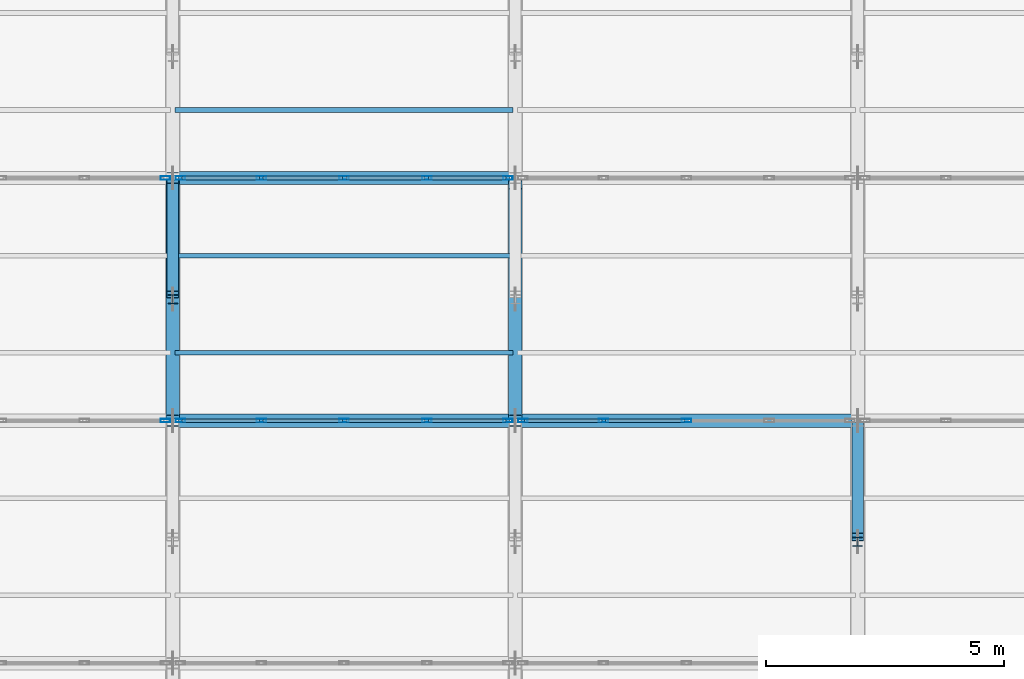
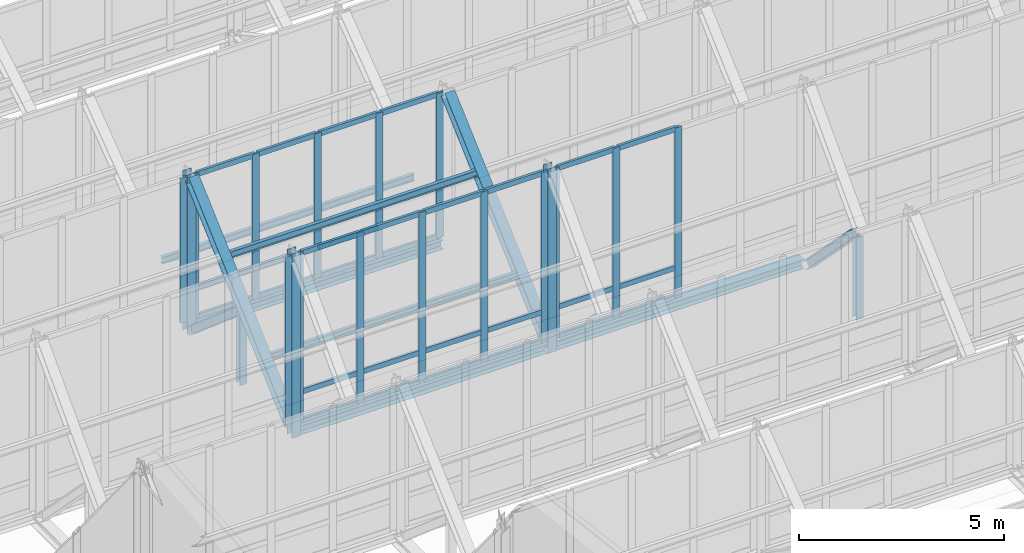
# One storey, part 52 of 157: 57 members, 3 beams, 5 elements without a shape of their own.
"""IFC4 building model written with IfcOpenShell, lengths in metres."""

from ifc_helpers import new_model, si_unit, direction, frame, origin, origin_2d, place, context, subcontext, project, spatial, hollow_rectangle, i_section, extrude, material, material_profile, profile_set, type_object, element, aggregate, save


model = new_model("IFC4")

# Units and contexts
model_context = context("Model", 3, precision=1e-05, world=origin(), true_north=direction((0.0, 1.0)))
body_context = subcontext(model_context, "Body", "Model", "MODEL_VIEW")
ifc_project = project(units=[si_unit("LENGTHUNIT", "METRE"), si_unit("AREAUNIT", "SQUARE_METRE"), si_unit("VOLUMEUNIT", "CUBIC_METRE"), si_unit("PLANEANGLEUNIT", "RADIAN"), si_unit("MASSUNIT", "GRAM", prefix="KILO")], contexts=[model_context])

# Site, building, storey
site_placement = place(None, origin())
site = spatial("IfcSite", under=ifc_project, at=site_placement, CompositionType="ELEMENT")
building_placement = place(site_placement, origin())
building = spatial("IfcBuilding", under=site, at=building_placement, Name="Suanplinth Sawtooth Commons", CompositionType="ELEMENT")
storey_placement = place(building_placement, frame((0.0, 0.0, 9.0)))
storey = spatial("IfcBuildingStorey", under=building, at=storey_placement, Name="L02", CompositionType="ELEMENT", Elevation=9.0)

# Beams
ifc_material_1 = material(Name="Steel S355JR", Category="steel")
ifc_material_profile_1 = material_profile(ifc_material_1, i_section(OverallWidth=0.280029296875, OverallDepth=0.27001953125, WebThickness=0.008056640625, FlangeThickness=0.012939453125, at=origin_2d()), Name="HEA 280")
ifc_profile_set_1 = profile_set([ifc_material_profile_1], Name="Steel S355JR")
beam_type = type_object("IfcBeamType", Name="B-16", PredefinedType="USERDEFINED", material=ifc_profile_set_1)
for number, where, z_axis, x_axis, name in (
    (1, (79.320068359375, 70.800048828125, 2.820068359375), (1.0, 0.0, 0.0), (0.0, 1.0, 0.0), "Sawtooth Valley Girder T5-B3"),
    (2, (86.52001953125, 70.800048828125, 2.820068359375), (1.0, 0.0, 0.0), (0.0, 1.0, 0.0), "Sawtooth Valley Girder T5-B4"),
    (3, (79.320068359375, 75.89990234375, 2.820068359375), (1.0, 0.0, 0.0), (0.0, 1.0, 0.0), "Sawtooth Valley Girder T6-B3"),
):
    element("IfcBeam", number, at=place(storey_placement, frame(where, z_axis=z_axis, x_axis=x_axis)), inside=storey, type_object=beam_type, Name=name, ObjectType="GIRDER", PredefinedType="USERDEFINED", context=body_context, shape_type="SweptSolid", body=[
        extrude(i_section(OverallWidth=0.280029296875, OverallDepth=0.27001953125, WebThickness=0.008056640625, FlangeThickness=0.012939453125, at=origin_2d()), origin(), (0.0, 0.0, 1.0), 6.9599609375),
    ])

# Members
ifc_material_profile_2 = material_profile(ifc_material_1, i_section(OverallWidth=0.280029296875, OverallDepth=0.280029296875, WebThickness=0.010498046875, FlangeThickness=0.01806640625, at=origin_2d()), Name="HEB 280")
ifc_profile_set_2 = profile_set([ifc_material_profile_2], Name="Steel S355JR")
member_type_1 = type_object("IfcMemberType", Name="M-02", PredefinedType="CHORD", material=ifc_profile_set_2)
for number, where, z_axis, x_axis, name in (
    (4, (79.199951171875, 70.93994140625, 2.919921875), (0.0, 0.740839311711, 0.671682301556), (-1.0, 0.0, 0.0), "Sawtooth Truss T3 Top Chord 5"),
    (5, (86.39990234375, 70.93994140625, 2.919921875), (0.0, 0.740839311711, 0.671682301556), (-1.0, 0.0, 0.0), "Sawtooth Truss T4 Top Chord 5"),
):
    element("IfcMember", number, at=place(storey_placement, frame(where, z_axis=z_axis, x_axis=x_axis)), inside=storey, type_object=member_type_1, Name=name, PredefinedType="CHORD", context=body_context, shape_type="SweptSolid", body=[
        extrude(i_section(OverallWidth=0.280029296875, OverallDepth=0.280029296875, WebThickness=0.010498046875, FlangeThickness=0.01806640625, at=origin_2d()), origin(), (0.0, 0.0, 1.0), 6.50634765625),
    ])
ifc_material_profile_3 = material_profile(ifc_material_1, i_section(OverallWidth=0.239990234375, OverallDepth=0.22998046875, WebThickness=0.007568359375, FlangeThickness=0.011962890625, at=origin_2d()), Name="HEA 240")
ifc_profile_set_3 = profile_set([ifc_material_profile_3], Name="Steel S355JR")
member_type_2 = type_object("IfcMemberType", Name="M-03", PredefinedType="BRACE", material=ifc_profile_set_3)
member_1_placement = place(storey_placement, frame((79.199951171875, 73.449951171875, 4.7451171875), z_axis=(0.0, 0.759593581641, -0.65039802485), x_axis=(-1.0, 0.0, 0.0)))
element("IfcMember", 6, at=member_1_placement, inside=storey, type_object=member_type_2, Name="Sawtooth Truss T3 Web Diagonal 5", PredefinedType="BRACE", context=body_context, shape_type="SweptSolid", body=[
    extrude(i_section(OverallWidth=0.239990234375, OverallDepth=0.22998046875, WebThickness=0.007568359375, FlangeThickness=0.011962890625, at=origin_2d()), origin(), (0.0, 0.0, 1.0), 3.067626953125),
])
member_2_placement = place(storey_placement, frame((93.60009765625, 68.35009765625, 5.1201171875), z_axis=(0.0, 0.701020432133, -0.713141187797), x_axis=(-1.0, 0.0, 0.0)))
element("IfcMember", 7, at=member_2_placement, inside=storey, type_object=member_type_2, Name="Sawtooth Truss T5 Web Diagonal 4", PredefinedType="BRACE", context=body_context, shape_type="SweptSolid", body=[
    extrude(i_section(OverallWidth=0.239990234375, OverallDepth=0.22998046875, WebThickness=0.007568359375, FlangeThickness=0.011962890625, at=origin_2d()), origin(), (0.0, 0.0, 1.0), 3.323486328125),
])
ifc_material_profile_4 = material_profile(ifc_material_1, i_section(OverallWidth=0.199951171875, OverallDepth=0.18994140625, WebThickness=0.006591796875, FlangeThickness=0.010009765625, at=origin_2d()), Name="HEA 200")
ifc_profile_set_4 = profile_set([ifc_material_profile_4], Name="Steel S355JR")
member_type_3 = type_object("IfcMemberType", Name="M-04", PredefinedType="BRACE", material=ifc_profile_set_4)
member_3_placement = place(storey_placement, frame((79.199951171875, 73.35009765625, 2.64990234375), z_axis=(0.0, 0.0, 1.0), x_axis=(1.0, 0.0, 0.0)))
element("IfcMember", 8, at=member_3_placement, inside=storey, type_object=member_type_3, Name="Sawtooth Truss T3 Mid Web Post 5", PredefinedType="BRACE", context=body_context, shape_type="SweptSolid", body=[
    extrude(i_section(OverallWidth=0.199951171875, OverallDepth=0.18994140625, WebThickness=0.006591796875, FlangeThickness=0.010009765625, at=origin_2d()), origin(), (0.0, 0.0, 1.0), 2.0751953125),
])
member_4_placement = place(storey_placement, frame((93.60009765625, 68.25, 2.64990234375), z_axis=(0.0, 0.0, 1.0), x_axis=(1.0, 0.0, 0.0)))
element("IfcMember", 9, at=member_4_placement, inside=storey, type_object=member_type_3, Name="Sawtooth Truss T5 Mid Web Post 4", PredefinedType="BRACE", context=body_context, shape_type="SweptSolid", body=[
    extrude(i_section(OverallWidth=0.199951171875, OverallDepth=0.18994140625, WebThickness=0.006591796875, FlangeThickness=0.010009765625, at=origin_2d()), origin(), (0.0, 0.0, 1.0), 2.4501953125),
])
ifc_material_profile_5 = material_profile(ifc_material_1, i_section(OverallWidth=0.239990234375, OverallDepth=0.239990234375, WebThickness=0.010009765625, FlangeThickness=0.01708984375, at=origin_2d()), Name="HEB 240")
ifc_profile_set_5 = profile_set([ifc_material_profile_5], Name="Steel S355JR")
member_type_4 = type_object("IfcMemberType", Name="M-05", PredefinedType="POST", material=ifc_profile_set_5)
member_5_placement = place(storey_placement, frame((79.199951171875, 70.800048828125, 2.64990234375), z_axis=(0.0, 0.0, 1.0), x_axis=(1.0, 0.0, 0.0)))
element("IfcMember", 10, at=member_5_placement, inside=storey, type_object=member_type_4, Name="Sawtooth Truss T3 Clerestory Post 4", PredefinedType="POST", context=body_context, shape_type="SweptSolid", body=[
    extrude(i_section(OverallWidth=0.239990234375, OverallDepth=0.239990234375, WebThickness=0.010009765625, FlangeThickness=0.01708984375, at=origin_2d()), origin(), (0.0, 0.0, 1.0), 5.489990234375),
])
member_6_placement = place(storey_placement, frame((79.199951171875, 75.89990234375, 2.64990234375), z_axis=(0.0, 0.0, 1.0), x_axis=(1.0, 0.0, 0.0)))
element("IfcMember", 11, at=member_6_placement, inside=storey, type_object=member_type_4, Name="Sawtooth Truss T3 Clerestory Post 5", PredefinedType="POST", context=body_context, shape_type="SweptSolid", body=[
    extrude(i_section(OverallWidth=0.239990234375, OverallDepth=0.239990234375, WebThickness=0.010009765625, FlangeThickness=0.01708984375, at=origin_2d()), origin(), (0.0, 0.0, 1.0), 4.739990234375),
])
member_7_placement = place(storey_placement, frame((86.39990234375, 70.800048828125, 2.64990234375), z_axis=(0.0, 0.0, 1.0), x_axis=(1.0, 0.0, 0.0)))
element("IfcMember", 12, at=member_7_placement, inside=storey, type_object=member_type_4, Name="Sawtooth Truss T4 Clerestory Post 4", PredefinedType="POST", context=body_context, shape_type="SweptSolid", body=[
    extrude(i_section(OverallWidth=0.239990234375, OverallDepth=0.239990234375, WebThickness=0.010009765625, FlangeThickness=0.01708984375, at=origin_2d()), origin(), (0.0, 0.0, 1.0), 5.489990234375),
])
ifc_material_2 = material(Name="Steel SS400", Category="steel")
ifc_material_profile_6 = material_profile(ifc_material_2, i_section(OverallWidth=0.10009765625, OverallDepth=0.199951171875, WebThickness=0.005615234375, FlangeThickness=0.008544921875, at=origin_2d()), Name="IPE 200")
ifc_profile_set_6 = profile_set([ifc_material_profile_6], Name="Steel SS400")
member_type_5 = type_object("IfcMemberType", Name="M-06", PredefinedType="PURLIN", material=ifc_profile_set_6)
for number, where, z_axis, x_axis, name in (
    (13, (79.25, 72.22802734375, 4.067138671875), (1.0, 0.0, 0.0), (0.0, 1.0, 0.0), "Sawtooth Roof Purlin T5-B3-P1"),
    (14, (79.25, 74.26806640625, 5.84716796875), (1.0, 0.0, 0.0), (0.0, 1.0, 0.0), "Sawtooth Roof Purlin T5-B3-P2"),
    (15, (79.25, 77.327880859375, 3.87353515625), (1.0, 0.0, 0.0), (0.0, 1.0, 0.0), "Sawtooth Roof Purlin T6-B3-P1"),
):
    element("IfcMember", number, at=place(storey_placement, frame(where, z_axis=z_axis, x_axis=x_axis)), inside=storey, type_object=member_type_5, Name=name, PredefinedType="PURLIN", context=body_context, shape_type="SweptSolid", body=[
        extrude(i_section(OverallWidth=0.10009765625, OverallDepth=0.199951171875, WebThickness=0.005615234375, FlangeThickness=0.008544921875, at=origin_2d()), origin(), (0.0, 0.0, 1.0), 7.10009765625),
    ])

# Curtain wall, member
ifc_material_3 = material(Name="Anodized aluminium and low-E glazing", Category="aluminium")
curtain_wall_type = type_object("IfcCurtainWallType", Name="CW-03", PredefinedType="USERDEFINED", material=ifc_material_3)
curtain_wall_1_placement = place(storey_placement, origin())
curtain_wall_1 = element("IfcCurtainWall", 16, at=curtain_wall_1_placement, inside=storey, type_object=curtain_wall_type, Name="Curtain Wall CW-SAW-T4-B2", ObjectType="CURTAIN WALL", PredefinedType="USERDEFINED")
ifc_material_4 = material(Name="Anodized aluminium 6063-T6", Category="aluminium")
ifc_material_profile_7 = material_profile(ifc_material_4, hollow_rectangle(XDim=0.074951171875, YDim=0.199951171875, WallThickness=0.0048828125, at=origin_2d()), Name="ALU-MUL 75x200")
ifc_profile_set_7 = profile_set([ifc_material_profile_7], Name="Anodized aluminium 6063-T6")
member_type_6 = type_object("IfcMemberType", Name="M-14", PredefinedType="MULLION", material=ifc_profile_set_7)
member_8_placement = place(storey_placement, frame((79.04248046875, 70.800048828125, 2.97998046875), z_axis=(0.0, 0.0, 1.0), x_axis=(0.0, 1.0, 0.0)))
member_8 = element("IfcMember", 17, at=member_8_placement, type_object=member_type_6, Name="CW-03 mullion 5", PredefinedType="MULLION", context=body_context, shape_type="SweptSolid", body=[
    extrude(hollow_rectangle(XDim=0.074951171875, YDim=0.199951171875, WallThickness=0.0048828125, at=origin_2d()), origin(), (0.0, 0.0, 1.0), 5.06005859375),
])
aggregate(curtain_wall_1, [member_8])

# Curtain wall, members
curtain_wall_2_placement = place(storey_placement, origin())
curtain_wall_2 = element("IfcCurtainWall", 18, at=curtain_wall_2_placement, inside=storey, type_object=curtain_wall_type, Name="Curtain Wall CW-SAW-T4-B3", ObjectType="CURTAIN WALL", PredefinedType="USERDEFINED")
member_9_placement = place(storey_placement, frame((79.357421875, 70.800048828125, 2.97998046875), z_axis=(0.0, 0.0, 1.0), x_axis=(0.0, 1.0, 0.0)))
member_9 = element("IfcMember", 19, at=member_9_placement, type_object=member_type_6, Name="CW-03 mullion 1", PredefinedType="MULLION", context=body_context, shape_type="SweptSolid", body=[
    extrude(hollow_rectangle(XDim=0.074951171875, YDim=0.199951171875, WallThickness=0.0048828125, at=origin_2d()), origin(), (0.0, 0.0, 1.0), 5.06005859375),
])
member_10_placement = place(storey_placement, frame((81.06005859375, 70.800048828125, 2.97998046875), z_axis=(0.0, 0.0, 1.0), x_axis=(0.0, 1.0, 0.0)))
member_10 = element("IfcMember", 20, at=member_10_placement, type_object=member_type_6, Name="CW-03 mullion 2", PredefinedType="MULLION", context=body_context, shape_type="SweptSolid", body=[
    extrude(hollow_rectangle(XDim=0.074951171875, YDim=0.199951171875, WallThickness=0.0048828125, at=origin_2d()), origin(), (0.0, 0.0, 1.0), 5.06005859375),
])
member_11_placement = place(storey_placement, frame((82.800048828125, 70.800048828125, 2.97998046875), z_axis=(0.0, 0.0, 1.0), x_axis=(0.0, 1.0, 0.0)))
member_11 = element("IfcMember", 21, at=member_11_placement, type_object=member_type_6, Name="CW-03 mullion 3", PredefinedType="MULLION", context=body_context, shape_type="SweptSolid", body=[
    extrude(hollow_rectangle(XDim=0.074951171875, YDim=0.199951171875, WallThickness=0.0048828125, at=origin_2d()), origin(), (0.0, 0.0, 1.0), 5.06005859375),
])
member_12_placement = place(storey_placement, frame((84.5400390625, 70.800048828125, 2.97998046875), z_axis=(0.0, 0.0, 1.0), x_axis=(0.0, 1.0, 0.0)))
member_12 = element("IfcMember", 22, at=member_12_placement, type_object=member_type_6, Name="CW-03 mullion 4", PredefinedType="MULLION", context=body_context, shape_type="SweptSolid", body=[
    extrude(hollow_rectangle(XDim=0.074951171875, YDim=0.199951171875, WallThickness=0.0048828125, at=origin_2d()), origin(), (0.0, 0.0, 1.0), 5.06005859375),
])
member_13_placement = place(storey_placement, frame((86.242431640625, 70.800048828125, 2.97998046875), z_axis=(0.0, 0.0, 1.0), x_axis=(0.0, 1.0, 0.0)))
member_13 = element("IfcMember", 23, at=member_13_placement, type_object=member_type_6, Name="CW-03 mullion 5", PredefinedType="MULLION", context=body_context, shape_type="SweptSolid", body=[
    extrude(hollow_rectangle(XDim=0.074951171875, YDim=0.199951171875, WallThickness=0.0048828125, at=origin_2d()), origin(), (0.0, 0.0, 1.0), 5.06005859375),
])

curtain_wall_3_placement = place(storey_placement, origin())
curtain_wall_3 = element("IfcCurtainWall", 24, at=curtain_wall_3_placement, inside=storey, type_object=curtain_wall_type, Name="Curtain Wall CW-SAW-T4-B4", ObjectType="CURTAIN WALL", PredefinedType="USERDEFINED")
member_14_placement = place(storey_placement, frame((86.5576171875, 70.800048828125, 2.97998046875), z_axis=(0.0, 0.0, 1.0), x_axis=(0.0, 1.0, 0.0)))
member_14 = element("IfcMember", 25, at=member_14_placement, type_object=member_type_6, Name="CW-03 mullion 1", PredefinedType="MULLION", context=body_context, shape_type="SweptSolid", body=[
    extrude(hollow_rectangle(XDim=0.074951171875, YDim=0.199951171875, WallThickness=0.0048828125, at=origin_2d()), origin(), (0.0, 0.0, 1.0), 5.06005859375),
])
member_15_placement = place(storey_placement, frame((88.260009765625, 70.800048828125, 2.97998046875), z_axis=(0.0, 0.0, 1.0), x_axis=(0.0, 1.0, 0.0)))
member_15 = element("IfcMember", 26, at=member_15_placement, type_object=member_type_6, Name="CW-03 mullion 2", PredefinedType="MULLION", context=body_context, shape_type="SweptSolid", body=[
    extrude(hollow_rectangle(XDim=0.074951171875, YDim=0.199951171875, WallThickness=0.0048828125, at=origin_2d()), origin(), (0.0, 0.0, 1.0), 5.06005859375),
])
member_16_placement = place(storey_placement, frame((90.0, 70.800048828125, 2.97998046875), z_axis=(0.0, 0.0, 1.0), x_axis=(0.0, 1.0, 0.0)))
member_16 = element("IfcMember", 27, at=member_16_placement, type_object=member_type_6, Name="CW-03 mullion 3", PredefinedType="MULLION", context=body_context, shape_type="SweptSolid", body=[
    extrude(hollow_rectangle(XDim=0.074951171875, YDim=0.199951171875, WallThickness=0.0048828125, at=origin_2d()), origin(), (0.0, 0.0, 1.0), 5.06005859375),
])

# Curtain wall, member
curtain_wall_4_placement = place(storey_placement, origin())
curtain_wall_4 = element("IfcCurtainWall", 28, at=curtain_wall_4_placement, inside=storey, type_object=curtain_wall_type, Name="Curtain Wall CW-SAW-T5-B2", ObjectType="CURTAIN WALL", PredefinedType="USERDEFINED")
member_17_placement = place(storey_placement, frame((79.04248046875, 75.89990234375, 2.97998046875), z_axis=(0.0, 0.0, 1.0), x_axis=(0.0, 1.0, 0.0)))
member_17 = element("IfcMember", 29, at=member_17_placement, type_object=member_type_6, Name="CW-03 mullion 5", PredefinedType="MULLION", context=body_context, shape_type="SweptSolid", body=[
    extrude(hollow_rectangle(XDim=0.074951171875, YDim=0.199951171875, WallThickness=0.0048828125, at=origin_2d()), origin(), (0.0, 0.0, 1.0), 4.31005859375),
])
aggregate(curtain_wall_4, [member_17])

# Curtain wall, members
curtain_wall_5_placement = place(storey_placement, origin())
curtain_wall_5 = element("IfcCurtainWall", 30, at=curtain_wall_5_placement, inside=storey, type_object=curtain_wall_type, Name="Curtain Wall CW-SAW-T5-B3", ObjectType="CURTAIN WALL", PredefinedType="USERDEFINED")
member_18_placement = place(storey_placement, frame((79.357421875, 75.89990234375, 2.97998046875), z_axis=(0.0, 0.0, 1.0), x_axis=(0.0, 1.0, 0.0)))
member_18 = element("IfcMember", 31, at=member_18_placement, type_object=member_type_6, Name="CW-03 mullion 1", PredefinedType="MULLION", context=body_context, shape_type="SweptSolid", body=[
    extrude(hollow_rectangle(XDim=0.074951171875, YDim=0.199951171875, WallThickness=0.0048828125, at=origin_2d()), origin(), (0.0, 0.0, 1.0), 4.31005859375),
])
member_19_placement = place(storey_placement, frame((81.06005859375, 75.89990234375, 2.97998046875), z_axis=(0.0, 0.0, 1.0), x_axis=(0.0, 1.0, 0.0)))
member_19 = element("IfcMember", 32, at=member_19_placement, type_object=member_type_6, Name="CW-03 mullion 2", PredefinedType="MULLION", context=body_context, shape_type="SweptSolid", body=[
    extrude(hollow_rectangle(XDim=0.074951171875, YDim=0.199951171875, WallThickness=0.0048828125, at=origin_2d()), origin(), (0.0, 0.0, 1.0), 4.31005859375),
])
member_20_placement = place(storey_placement, frame((82.800048828125, 75.89990234375, 2.97998046875), z_axis=(0.0, 0.0, 1.0), x_axis=(0.0, 1.0, 0.0)))
member_20 = element("IfcMember", 33, at=member_20_placement, type_object=member_type_6, Name="CW-03 mullion 3", PredefinedType="MULLION", context=body_context, shape_type="SweptSolid", body=[
    extrude(hollow_rectangle(XDim=0.074951171875, YDim=0.199951171875, WallThickness=0.0048828125, at=origin_2d()), origin(), (0.0, 0.0, 1.0), 4.31005859375),
])
member_21_placement = place(storey_placement, frame((84.5400390625, 75.89990234375, 2.97998046875), z_axis=(0.0, 0.0, 1.0), x_axis=(0.0, 1.0, 0.0)))
member_21 = element("IfcMember", 34, at=member_21_placement, type_object=member_type_6, Name="CW-03 mullion 4", PredefinedType="MULLION", context=body_context, shape_type="SweptSolid", body=[
    extrude(hollow_rectangle(XDim=0.074951171875, YDim=0.199951171875, WallThickness=0.0048828125, at=origin_2d()), origin(), (0.0, 0.0, 1.0), 4.31005859375),
])
member_22_placement = place(storey_placement, frame((86.242431640625, 75.89990234375, 2.97998046875), z_axis=(0.0, 0.0, 1.0), x_axis=(0.0, 1.0, 0.0)))
member_22 = element("IfcMember", 35, at=member_22_placement, type_object=member_type_6, Name="CW-03 mullion 5", PredefinedType="MULLION", context=body_context, shape_type="SweptSolid", body=[
    extrude(hollow_rectangle(XDim=0.074951171875, YDim=0.199951171875, WallThickness=0.0048828125, at=origin_2d()), origin(), (0.0, 0.0, 1.0), 4.31005859375),
])

# Member
ifc_material_profile_8 = material_profile(ifc_material_4, hollow_rectangle(XDim=0.074951171875, YDim=0.14990234375, WallThickness=0.00439453125, at=origin_2d()), Name="ALU-TRN 75x150")
ifc_profile_set_8 = profile_set([ifc_material_profile_8], Name="Anodized aluminium 6063-T6")
member_type_7 = type_object("IfcMemberType", Name="M-16", PredefinedType="USERDEFINED", material=ifc_profile_set_8)
member_23_placement = place(storey_placement, frame((79.39501953125, 70.800048828125, 3.017578125), z_axis=(1.0, 0.0, 0.0), x_axis=(0.0, 1.0, 0.0)))
member_23 = element("IfcMember", 36, at=member_23_placement, type_object=member_type_7, Name="CW-03 transom 1.1", ObjectType="TRANSOM", PredefinedType="USERDEFINED", context=body_context, shape_type="SweptSolid", body=[
    extrude(hollow_rectangle(XDim=0.074951171875, YDim=0.14990234375, WallThickness=0.00439453125, at=origin_2d()), origin(), (0.0, 0.0, 1.0), 1.62744140625),
])

member_24_placement = place(storey_placement, frame((79.39501953125, 70.800048828125, 3.8798828125), z_axis=(1.0, 0.0, 0.0), x_axis=(0.0, 1.0, 0.0)))
member_24 = element("IfcMember", 37, at=member_24_placement, type_object=member_type_7, Name="CW-03 transom 1.2", ObjectType="TRANSOM", PredefinedType="USERDEFINED", context=body_context, shape_type="SweptSolid", body=[
    extrude(hollow_rectangle(XDim=0.074951171875, YDim=0.14990234375, WallThickness=0.00439453125, at=origin_2d()), origin(), (0.0, 0.0, 1.0), 1.62744140625),
])

member_25_placement = place(storey_placement, frame((79.39501953125, 70.800048828125, 8.00244140625), z_axis=(1.0, 0.0, 0.0), x_axis=(0.0, 1.0, 0.0)))
member_25 = element("IfcMember", 38, at=member_25_placement, type_object=member_type_7, Name="CW-03 transom 1.3", ObjectType="TRANSOM", PredefinedType="USERDEFINED", context=body_context, shape_type="SweptSolid", body=[
    extrude(hollow_rectangle(XDim=0.074951171875, YDim=0.14990234375, WallThickness=0.00439453125, at=origin_2d()), origin(), (0.0, 0.0, 1.0), 1.62744140625),
])

member_26_placement = place(storey_placement, frame((81.097412109375, 70.800048828125, 3.017578125), z_axis=(1.0, 0.0, 0.0), x_axis=(0.0, 1.0, 0.0)))
member_26 = element("IfcMember", 39, at=member_26_placement, type_object=member_type_7, Name="CW-03 transom 2.1", ObjectType="TRANSOM", PredefinedType="USERDEFINED", context=body_context, shape_type="SweptSolid", body=[
    extrude(hollow_rectangle(XDim=0.074951171875, YDim=0.14990234375, WallThickness=0.00439453125, at=origin_2d()), origin(), (0.0, 0.0, 1.0), 1.6650390625),
])

member_27_placement = place(storey_placement, frame((81.097412109375, 70.800048828125, 3.8798828125), z_axis=(1.0, 0.0, 0.0), x_axis=(0.0, 1.0, 0.0)))
member_27 = element("IfcMember", 40, at=member_27_placement, type_object=member_type_7, Name="CW-03 transom 2.2", ObjectType="TRANSOM", PredefinedType="USERDEFINED", context=body_context, shape_type="SweptSolid", body=[
    extrude(hollow_rectangle(XDim=0.074951171875, YDim=0.14990234375, WallThickness=0.00439453125, at=origin_2d()), origin(), (0.0, 0.0, 1.0), 1.6650390625),
])

member_28_placement = place(storey_placement, frame((81.097412109375, 70.800048828125, 8.00244140625), z_axis=(1.0, 0.0, 0.0), x_axis=(0.0, 1.0, 0.0)))
member_28 = element("IfcMember", 41, at=member_28_placement, type_object=member_type_7, Name="CW-03 transom 2.3", ObjectType="TRANSOM", PredefinedType="USERDEFINED", context=body_context, shape_type="SweptSolid", body=[
    extrude(hollow_rectangle(XDim=0.074951171875, YDim=0.14990234375, WallThickness=0.00439453125, at=origin_2d()), origin(), (0.0, 0.0, 1.0), 1.6650390625),
])

member_29_placement = place(storey_placement, frame((82.83740234375, 70.800048828125, 3.017578125), z_axis=(1.0, 0.0, 0.0), x_axis=(0.0, 1.0, 0.0)))
member_29 = element("IfcMember", 42, at=member_29_placement, type_object=member_type_7, Name="CW-03 transom 3.1", ObjectType="TRANSOM", PredefinedType="USERDEFINED", context=body_context, shape_type="SweptSolid", body=[
    extrude(hollow_rectangle(XDim=0.074951171875, YDim=0.14990234375, WallThickness=0.00439453125, at=origin_2d()), origin(), (0.0, 0.0, 1.0), 1.6650390625),
])

member_30_placement = place(storey_placement, frame((82.83740234375, 70.800048828125, 3.8798828125), z_axis=(1.0, 0.0, 0.0), x_axis=(0.0, 1.0, 0.0)))
member_30 = element("IfcMember", 43, at=member_30_placement, type_object=member_type_7, Name="CW-03 transom 3.2", ObjectType="TRANSOM", PredefinedType="USERDEFINED", context=body_context, shape_type="SweptSolid", body=[
    extrude(hollow_rectangle(XDim=0.074951171875, YDim=0.14990234375, WallThickness=0.00439453125, at=origin_2d()), origin(), (0.0, 0.0, 1.0), 1.6650390625),
])

member_31_placement = place(storey_placement, frame((82.83740234375, 70.800048828125, 8.00244140625), z_axis=(1.0, 0.0, 0.0), x_axis=(0.0, 1.0, 0.0)))
member_31 = element("IfcMember", 44, at=member_31_placement, type_object=member_type_7, Name="CW-03 transom 3.3", ObjectType="TRANSOM", PredefinedType="USERDEFINED", context=body_context, shape_type="SweptSolid", body=[
    extrude(hollow_rectangle(XDim=0.074951171875, YDim=0.14990234375, WallThickness=0.00439453125, at=origin_2d()), origin(), (0.0, 0.0, 1.0), 1.6650390625),
])

member_32_placement = place(storey_placement, frame((84.577392578125, 70.800048828125, 3.017578125), z_axis=(1.0, 0.0, 0.0), x_axis=(0.0, 1.0, 0.0)))
member_32 = element("IfcMember", 45, at=member_32_placement, type_object=member_type_7, Name="CW-03 transom 4.1", ObjectType="TRANSOM", PredefinedType="USERDEFINED", context=body_context, shape_type="SweptSolid", body=[
    extrude(hollow_rectangle(XDim=0.074951171875, YDim=0.14990234375, WallThickness=0.00439453125, at=origin_2d()), origin(), (0.0, 0.0, 1.0), 1.627685546875),
])

member_33_placement = place(storey_placement, frame((84.577392578125, 70.800048828125, 3.8798828125), z_axis=(1.0, 0.0, 0.0), x_axis=(0.0, 1.0, 0.0)))
member_33 = element("IfcMember", 46, at=member_33_placement, type_object=member_type_7, Name="CW-03 transom 4.2", ObjectType="TRANSOM", PredefinedType="USERDEFINED", context=body_context, shape_type="SweptSolid", body=[
    extrude(hollow_rectangle(XDim=0.074951171875, YDim=0.14990234375, WallThickness=0.00439453125, at=origin_2d()), origin(), (0.0, 0.0, 1.0), 1.627685546875),
])

member_34_placement = place(storey_placement, frame((84.577392578125, 70.800048828125, 8.00244140625), z_axis=(1.0, 0.0, 0.0), x_axis=(0.0, 1.0, 0.0)))
member_34 = element("IfcMember", 47, at=member_34_placement, type_object=member_type_7, Name="CW-03 transom 4.3", ObjectType="TRANSOM", PredefinedType="USERDEFINED", context=body_context, shape_type="SweptSolid", body=[
    extrude(hollow_rectangle(XDim=0.074951171875, YDim=0.14990234375, WallThickness=0.00439453125, at=origin_2d()), origin(), (0.0, 0.0, 1.0), 1.627685546875),
])

aggregate(curtain_wall_2, [member_9, member_10, member_11, member_12, member_13, member_23, member_24, member_25, member_26, member_27, member_28, member_29, member_30, member_31, member_32, member_33, member_34])

member_35_placement = place(storey_placement, frame((86.594970703125, 70.800048828125, 3.017578125), z_axis=(1.0, 0.0, 0.0), x_axis=(0.0, 1.0, 0.0)))
member_35 = element("IfcMember", 48, at=member_35_placement, type_object=member_type_7, Name="CW-03 transom 1.1", ObjectType="TRANSOM", PredefinedType="USERDEFINED", context=body_context, shape_type="SweptSolid", body=[
    extrude(hollow_rectangle(XDim=0.074951171875, YDim=0.14990234375, WallThickness=0.00439453125, at=origin_2d()), origin(), (0.0, 0.0, 1.0), 1.62744140625),
])

member_36_placement = place(storey_placement, frame((86.594970703125, 70.800048828125, 3.8798828125), z_axis=(1.0, 0.0, 0.0), x_axis=(0.0, 1.0, 0.0)))
member_36 = element("IfcMember", 49, at=member_36_placement, type_object=member_type_7, Name="CW-03 transom 1.2", ObjectType="TRANSOM", PredefinedType="USERDEFINED", context=body_context, shape_type="SweptSolid", body=[
    extrude(hollow_rectangle(XDim=0.074951171875, YDim=0.14990234375, WallThickness=0.00439453125, at=origin_2d()), origin(), (0.0, 0.0, 1.0), 1.62744140625),
])

member_37_placement = place(storey_placement, frame((86.594970703125, 70.800048828125, 8.00244140625), z_axis=(1.0, 0.0, 0.0), x_axis=(0.0, 1.0, 0.0)))
member_37 = element("IfcMember", 50, at=member_37_placement, type_object=member_type_7, Name="CW-03 transom 1.3", ObjectType="TRANSOM", PredefinedType="USERDEFINED", context=body_context, shape_type="SweptSolid", body=[
    extrude(hollow_rectangle(XDim=0.074951171875, YDim=0.14990234375, WallThickness=0.00439453125, at=origin_2d()), origin(), (0.0, 0.0, 1.0), 1.62744140625),
])

member_38_placement = place(storey_placement, frame((88.297607421875, 70.800048828125, 3.017578125), z_axis=(1.0, 0.0, 0.0), x_axis=(0.0, 1.0, 0.0)))
member_38 = element("IfcMember", 51, at=member_38_placement, type_object=member_type_7, Name="CW-03 transom 2.1", ObjectType="TRANSOM", PredefinedType="USERDEFINED", context=body_context, shape_type="SweptSolid", body=[
    extrude(hollow_rectangle(XDim=0.074951171875, YDim=0.14990234375, WallThickness=0.00439453125, at=origin_2d()), origin(), (0.0, 0.0, 1.0), 1.664794921875),
])

member_39_placement = place(storey_placement, frame((88.297607421875, 70.800048828125, 3.8798828125), z_axis=(1.0, 0.0, 0.0), x_axis=(0.0, 1.0, 0.0)))
member_39 = element("IfcMember", 52, at=member_39_placement, type_object=member_type_7, Name="CW-03 transom 2.2", ObjectType="TRANSOM", PredefinedType="USERDEFINED", context=body_context, shape_type="SweptSolid", body=[
    extrude(hollow_rectangle(XDim=0.074951171875, YDim=0.14990234375, WallThickness=0.00439453125, at=origin_2d()), origin(), (0.0, 0.0, 1.0), 1.664794921875),
])

member_40_placement = place(storey_placement, frame((88.297607421875, 70.800048828125, 8.00244140625), z_axis=(1.0, 0.0, 0.0), x_axis=(0.0, 1.0, 0.0)))
member_40 = element("IfcMember", 53, at=member_40_placement, type_object=member_type_7, Name="CW-03 transom 2.3", ObjectType="TRANSOM", PredefinedType="USERDEFINED", context=body_context, shape_type="SweptSolid", body=[
    extrude(hollow_rectangle(XDim=0.074951171875, YDim=0.14990234375, WallThickness=0.00439453125, at=origin_2d()), origin(), (0.0, 0.0, 1.0), 1.664794921875),
])

aggregate(curtain_wall_3, [member_14, member_15, member_16, member_35, member_36, member_37, member_38, member_39, member_40])

member_41_placement = place(storey_placement, frame((79.39501953125, 75.89990234375, 3.017578125), z_axis=(1.0, 0.0, 0.0), x_axis=(0.0, 1.0, 0.0)))
member_41 = element("IfcMember", 54, at=member_41_placement, type_object=member_type_7, Name="CW-03 transom 1.1", ObjectType="TRANSOM", PredefinedType="USERDEFINED", context=body_context, shape_type="SweptSolid", body=[
    extrude(hollow_rectangle(XDim=0.074951171875, YDim=0.14990234375, WallThickness=0.00439453125, at=origin_2d()), origin(), (0.0, 0.0, 1.0), 1.62744140625),
])

member_42_placement = place(storey_placement, frame((79.39501953125, 75.89990234375, 3.8798828125), z_axis=(1.0, 0.0, 0.0), x_axis=(0.0, 1.0, 0.0)))
member_42 = element("IfcMember", 55, at=member_42_placement, type_object=member_type_7, Name="CW-03 transom 1.2", ObjectType="TRANSOM", PredefinedType="USERDEFINED", context=body_context, shape_type="SweptSolid", body=[
    extrude(hollow_rectangle(XDim=0.074951171875, YDim=0.14990234375, WallThickness=0.00439453125, at=origin_2d()), origin(), (0.0, 0.0, 1.0), 1.62744140625),
])

member_43_placement = place(storey_placement, frame((79.39501953125, 75.89990234375, 7.25244140625), z_axis=(1.0, 0.0, 0.0), x_axis=(0.0, 1.0, 0.0)))
member_43 = element("IfcMember", 56, at=member_43_placement, type_object=member_type_7, Name="CW-03 transom 1.3", ObjectType="TRANSOM", PredefinedType="USERDEFINED", context=body_context, shape_type="SweptSolid", body=[
    extrude(hollow_rectangle(XDim=0.074951171875, YDim=0.14990234375, WallThickness=0.00439453125, at=origin_2d()), origin(), (0.0, 0.0, 1.0), 1.62744140625),
])

member_44_placement = place(storey_placement, frame((81.097412109375, 75.89990234375, 3.017578125), z_axis=(1.0, 0.0, 0.0), x_axis=(0.0, 1.0, 0.0)))
member_44 = element("IfcMember", 57, at=member_44_placement, type_object=member_type_7, Name="CW-03 transom 2.1", ObjectType="TRANSOM", PredefinedType="USERDEFINED", context=body_context, shape_type="SweptSolid", body=[
    extrude(hollow_rectangle(XDim=0.074951171875, YDim=0.14990234375, WallThickness=0.00439453125, at=origin_2d()), origin(), (0.0, 0.0, 1.0), 1.6650390625),
])

member_45_placement = place(storey_placement, frame((81.097412109375, 75.89990234375, 3.8798828125), z_axis=(1.0, 0.0, 0.0), x_axis=(0.0, 1.0, 0.0)))
member_45 = element("IfcMember", 58, at=member_45_placement, type_object=member_type_7, Name="CW-03 transom 2.2", ObjectType="TRANSOM", PredefinedType="USERDEFINED", context=body_context, shape_type="SweptSolid", body=[
    extrude(hollow_rectangle(XDim=0.074951171875, YDim=0.14990234375, WallThickness=0.00439453125, at=origin_2d()), origin(), (0.0, 0.0, 1.0), 1.6650390625),
])

member_46_placement = place(storey_placement, frame((81.097412109375, 75.89990234375, 7.25244140625), z_axis=(1.0, 0.0, 0.0), x_axis=(0.0, 1.0, 0.0)))
member_46 = element("IfcMember", 59, at=member_46_placement, type_object=member_type_7, Name="CW-03 transom 2.3", ObjectType="TRANSOM", PredefinedType="USERDEFINED", context=body_context, shape_type="SweptSolid", body=[
    extrude(hollow_rectangle(XDim=0.074951171875, YDim=0.14990234375, WallThickness=0.00439453125, at=origin_2d()), origin(), (0.0, 0.0, 1.0), 1.6650390625),
])

member_47_placement = place(storey_placement, frame((82.83740234375, 75.89990234375, 3.017578125), z_axis=(1.0, 0.0, 0.0), x_axis=(0.0, 1.0, 0.0)))
member_47 = element("IfcMember", 60, at=member_47_placement, type_object=member_type_7, Name="CW-03 transom 3.1", ObjectType="TRANSOM", PredefinedType="USERDEFINED", context=body_context, shape_type="SweptSolid", body=[
    extrude(hollow_rectangle(XDim=0.074951171875, YDim=0.14990234375, WallThickness=0.00439453125, at=origin_2d()), origin(), (0.0, 0.0, 1.0), 1.6650390625),
])

member_48_placement = place(storey_placement, frame((82.83740234375, 75.89990234375, 3.8798828125), z_axis=(1.0, 0.0, 0.0), x_axis=(0.0, 1.0, 0.0)))
member_48 = element("IfcMember", 61, at=member_48_placement, type_object=member_type_7, Name="CW-03 transom 3.2", ObjectType="TRANSOM", PredefinedType="USERDEFINED", context=body_context, shape_type="SweptSolid", body=[
    extrude(hollow_rectangle(XDim=0.074951171875, YDim=0.14990234375, WallThickness=0.00439453125, at=origin_2d()), origin(), (0.0, 0.0, 1.0), 1.6650390625),
])

member_49_placement = place(storey_placement, frame((82.83740234375, 75.89990234375, 7.25244140625), z_axis=(1.0, 0.0, 0.0), x_axis=(0.0, 1.0, 0.0)))
member_49 = element("IfcMember", 62, at=member_49_placement, type_object=member_type_7, Name="CW-03 transom 3.3", ObjectType="TRANSOM", PredefinedType="USERDEFINED", context=body_context, shape_type="SweptSolid", body=[
    extrude(hollow_rectangle(XDim=0.074951171875, YDim=0.14990234375, WallThickness=0.00439453125, at=origin_2d()), origin(), (0.0, 0.0, 1.0), 1.6650390625),
])

member_50_placement = place(storey_placement, frame((84.577392578125, 75.89990234375, 3.017578125), z_axis=(1.0, 0.0, 0.0), x_axis=(0.0, 1.0, 0.0)))
member_50 = element("IfcMember", 63, at=member_50_placement, type_object=member_type_7, Name="CW-03 transom 4.1", ObjectType="TRANSOM", PredefinedType="USERDEFINED", context=body_context, shape_type="SweptSolid", body=[
    extrude(hollow_rectangle(XDim=0.074951171875, YDim=0.14990234375, WallThickness=0.00439453125, at=origin_2d()), origin(), (0.0, 0.0, 1.0), 1.627685546875),
])

member_51_placement = place(storey_placement, frame((84.577392578125, 75.89990234375, 3.8798828125), z_axis=(1.0, 0.0, 0.0), x_axis=(0.0, 1.0, 0.0)))
member_51 = element("IfcMember", 64, at=member_51_placement, type_object=member_type_7, Name="CW-03 transom 4.2", ObjectType="TRANSOM", PredefinedType="USERDEFINED", context=body_context, shape_type="SweptSolid", body=[
    extrude(hollow_rectangle(XDim=0.074951171875, YDim=0.14990234375, WallThickness=0.00439453125, at=origin_2d()), origin(), (0.0, 0.0, 1.0), 1.627685546875),
])

member_52_placement = place(storey_placement, frame((84.577392578125, 75.89990234375, 7.25244140625), z_axis=(1.0, 0.0, 0.0), x_axis=(0.0, 1.0, 0.0)))
member_52 = element("IfcMember", 65, at=member_52_placement, type_object=member_type_7, Name="CW-03 transom 4.3", ObjectType="TRANSOM", PredefinedType="USERDEFINED", context=body_context, shape_type="SweptSolid", body=[
    extrude(hollow_rectangle(XDim=0.074951171875, YDim=0.14990234375, WallThickness=0.00439453125, at=origin_2d()), origin(), (0.0, 0.0, 1.0), 1.627685546875),
])

aggregate(curtain_wall_5, [member_18, member_19, member_20, member_21, member_22, member_41, member_42, member_43, member_44, member_45, member_46, member_47, member_48, member_49, member_50, member_51, member_52])

save(model, "model.ifc")
